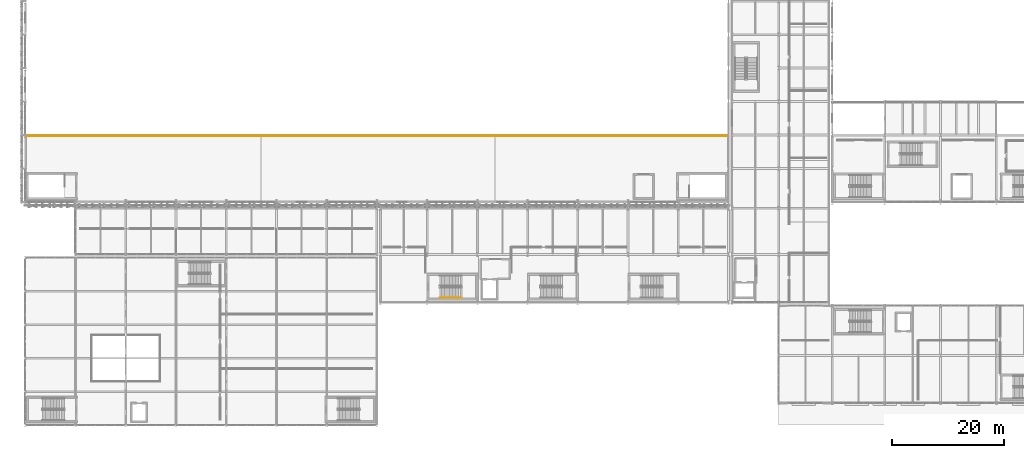
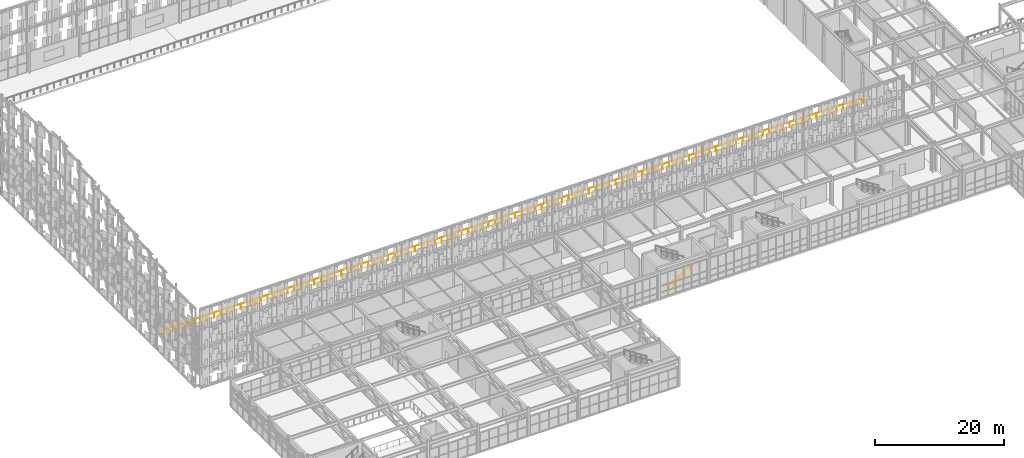
# One storey, part 184 of 210: 2 railings.
"""IFC4 building model written with IfcOpenShell, lengths in metres."""

from ifc_helpers import new_model, si_unit, direction, frame, origin, origin_2d, place, context, subcontext, project, spatial, circle, extrude, material, type_object, element, save


model = new_model("IFC4")

# Units and contexts
model_context = context("Model", 3, precision=1e-05, world=origin(), true_north=direction((0.0, 1.0)))
body_context = subcontext(model_context, "Body", "Model", "MODEL_VIEW")
ifc_project = project(units=[si_unit("LENGTHUNIT", "METRE"), si_unit("AREAUNIT", "SQUARE_METRE"), si_unit("VOLUMEUNIT", "CUBIC_METRE"), si_unit("PLANEANGLEUNIT", "RADIAN"), si_unit("MASSUNIT", "GRAM", prefix="KILO")], contexts=[model_context])

# Site, building, storey
site_placement = place(None, origin())
site = spatial("IfcSite", under=ifc_project, at=site_placement, CompositionType="ELEMENT")
building_placement = place(site_placement, origin())
building = spatial("IfcBuilding", under=site, at=building_placement, Name="Kaldris Quays Convention Centre", CompositionType="ELEMENT")
storey_placement = place(building_placement, frame((0.0, 0.0, 6.0)))
storey = spatial("IfcBuildingStorey", under=building, at=storey_placement, Name="L01", CompositionType="ELEMENT", Elevation=6.0)

# Railings
ifc_material_1 = material(Name="Steel S355J2", Category="steel")
railing_type_1 = type_object("IfcRailingType", Name="INTERIOR GUARDRAIL GR01", PredefinedType="GUARDRAIL", material=ifc_material_1)
railing_1_placement = place(storey_placement, frame((20.050048828125, 67.85009765625, 0.0)))
element("IfcRailing", 1, at=railing_1_placement, inside=storey, type_object=railing_type_1, Name="L01 Gallery Balustrade GRD-V1-GALS", PredefinedType="GUARDRAIL", context=body_context, shape_type="SweptSolid", body=[
    extrude(circle(Radius=0.02392578125, at=origin_2d()), frame((0.0, 0.0, 1.076171875), z_axis=(1.0, 0.0, 0.0), x_axis=(0.0, 1.0, 0.0)), (0.0, 0.0, 1.0), 125.89990234375),
    extrude(circle(Radius=0.02099609375, at=origin_2d()), origin(), (0.0, 0.0, 1.0), 1.052001953125),
    extrude(circle(Radius=0.02099609375, at=origin_2d()), frame((1.198974609375, 0.0, 0.0)), (0.0, 0.0, 1.0), 1.052001953125),
    extrude(circle(Radius=0.02099609375, at=origin_2d()), frame((2.398193359375, 0.0, 0.0)), (0.0, 0.0, 1.0), 1.052001953125),
    extrude(circle(Radius=0.02099609375, at=origin_2d()), frame((3.59716796875, 0.0, 0.0)), (0.0, 0.0, 1.0), 1.052001953125),
    extrude(circle(Radius=0.02099609375, at=origin_2d()), frame((4.796142578125, 0.0, 0.0)), (0.0, 0.0, 1.0), 1.052001953125),
    extrude(circle(Radius=0.02099609375, at=origin_2d()), frame((5.9951171875, 0.0, 0.0)), (0.0, 0.0, 1.0), 1.052001953125),
    extrude(circle(Radius=0.02099609375, at=origin_2d()), frame((7.1943359375, 0.0, 0.0)), (0.0, 0.0, 1.0), 1.052001953125),
    extrude(circle(Radius=0.02099609375, at=origin_2d()), frame((8.393310546875, 0.0, 0.0)), (0.0, 0.0, 1.0), 1.052001953125),
    extrude(circle(Radius=0.02099609375, at=origin_2d()), frame((9.59228515625, 0.0, 0.0)), (0.0, 0.0, 1.0), 1.052001953125),
    extrude(circle(Radius=0.02099609375, at=origin_2d()), frame((10.79150390625, 0.0, 0.0)), (0.0, 0.0, 1.0), 1.052001953125),
    extrude(circle(Radius=0.02099609375, at=origin_2d()), frame((11.990478515625, 0.0, 0.0)), (0.0, 0.0, 1.0), 1.052001953125),
    extrude(circle(Radius=0.02099609375, at=origin_2d()), frame((13.189453125, 0.0, 0.0)), (0.0, 0.0, 1.0), 1.052001953125),
    extrude(circle(Radius=0.02099609375, at=origin_2d()), frame((14.388671875, 0.0, 0.0)), (0.0, 0.0, 1.0), 1.052001953125),
    extrude(circle(Radius=0.02099609375, at=origin_2d()), frame((15.587646484375, 0.0, 0.0)), (0.0, 0.0, 1.0), 1.052001953125),
    extrude(circle(Radius=0.02099609375, at=origin_2d()), frame((16.78662109375, 0.0, 0.0)), (0.0, 0.0, 1.0), 1.052001953125),
    extrude(circle(Radius=0.02099609375, at=origin_2d()), frame((17.985595703125, 0.0, 0.0)), (0.0, 0.0, 1.0), 1.052001953125),
    extrude(circle(Radius=0.02099609375, at=origin_2d()), frame((19.184814453125, 0.0, 0.0)), (0.0, 0.0, 1.0), 1.052001953125),
    extrude(circle(Radius=0.02099609375, at=origin_2d()), frame((20.3837890625, 0.0, 0.0)), (0.0, 0.0, 1.0), 1.052001953125),
    extrude(circle(Radius=0.02099609375, at=origin_2d()), frame((21.582763671875, 0.0, 0.0)), (0.0, 0.0, 1.0), 1.052001953125),
    extrude(circle(Radius=0.02099609375, at=origin_2d()), frame((22.781982421875, 0.0, 0.0)), (0.0, 0.0, 1.0), 1.052001953125),
    extrude(circle(Radius=0.02099609375, at=origin_2d()), frame((23.98095703125, 0.0, 0.0)), (0.0, 0.0, 1.0), 1.052001953125),
    extrude(circle(Radius=0.02099609375, at=origin_2d()), frame((25.179931640625, 0.0, 0.0)), (0.0, 0.0, 1.0), 1.052001953125),
    extrude(circle(Radius=0.02099609375, at=origin_2d()), frame((26.37890625, 0.0, 0.0)), (0.0, 0.0, 1.0), 1.052001953125),
    extrude(circle(Radius=0.02099609375, at=origin_2d()), frame((27.578125, 0.0, 0.0)), (0.0, 0.0, 1.0), 1.052001953125),
    extrude(circle(Radius=0.02099609375, at=origin_2d()), frame((28.777099609375, 0.0, 0.0)), (0.0, 0.0, 1.0), 1.052001953125),
    extrude(circle(Radius=0.02099609375, at=origin_2d()), frame((29.97607421875, 0.0, 0.0)), (0.0, 0.0, 1.0), 1.052001953125),
    extrude(circle(Radius=0.02099609375, at=origin_2d()), frame((31.17529296875, 0.0, 0.0)), (0.0, 0.0, 1.0), 1.052001953125),
    extrude(circle(Radius=0.02099609375, at=origin_2d()), frame((32.374267578125, 0.0, 0.0)), (0.0, 0.0, 1.0), 1.052001953125),
    extrude(circle(Radius=0.02099609375, at=origin_2d()), frame((33.5732421875, 0.0, 0.0)), (0.0, 0.0, 1.0), 1.052001953125),
    extrude(circle(Radius=0.02099609375, at=origin_2d()), frame((34.7724609375, 0.0, 0.0)), (0.0, 0.0, 1.0), 1.052001953125),
    extrude(circle(Radius=0.02099609375, at=origin_2d()), frame((35.971435546875, 0.0, 0.0)), (0.0, 0.0, 1.0), 1.052001953125),
    extrude(circle(Radius=0.02099609375, at=origin_2d()), frame((37.17041015625, 0.0, 0.0)), (0.0, 0.0, 1.0), 1.052001953125),
    extrude(circle(Radius=0.02099609375, at=origin_2d()), frame((38.369384765625, 0.0, 0.0)), (0.0, 0.0, 1.0), 1.052001953125),
    extrude(circle(Radius=0.02099609375, at=origin_2d()), frame((39.568603515625, 0.0, 0.0)), (0.0, 0.0, 1.0), 1.052001953125),
    extrude(circle(Radius=0.02099609375, at=origin_2d()), frame((40.767578125, 0.0, 0.0)), (0.0, 0.0, 1.0), 1.052001953125),
    extrude(circle(Radius=0.02099609375, at=origin_2d()), frame((41.966552734375, 0.0, 0.0)), (0.0, 0.0, 1.0), 1.052001953125),
    extrude(circle(Radius=0.02099609375, at=origin_2d()), frame((43.165771484375, 0.0, 0.0)), (0.0, 0.0, 1.0), 1.052001953125),
    extrude(circle(Radius=0.02099609375, at=origin_2d()), frame((44.36474609375, 0.0, 0.0)), (0.0, 0.0, 1.0), 1.052001953125),
    extrude(circle(Radius=0.02099609375, at=origin_2d()), frame((45.563720703125, 0.0, 0.0)), (0.0, 0.0, 1.0), 1.052001953125),
    extrude(circle(Radius=0.02099609375, at=origin_2d()), frame((46.762939453125, 0.0, 0.0)), (0.0, 0.0, 1.0), 1.052001953125),
    extrude(circle(Radius=0.02099609375, at=origin_2d()), frame((47.9619140625, 0.0, 0.0)), (0.0, 0.0, 1.0), 1.052001953125),
    extrude(circle(Radius=0.02099609375, at=origin_2d()), frame((49.160888671875, 0.0, 0.0)), (0.0, 0.0, 1.0), 1.052001953125),
    extrude(circle(Radius=0.02099609375, at=origin_2d()), frame((50.35986328125, 0.0, 0.0)), (0.0, 0.0, 1.0), 1.052001953125),
    extrude(circle(Radius=0.02099609375, at=origin_2d()), frame((51.55908203125, 0.0, 0.0)), (0.0, 0.0, 1.0), 1.052001953125),
    extrude(circle(Radius=0.02099609375, at=origin_2d()), frame((52.758056640625, 0.0, 0.0)), (0.0, 0.0, 1.0), 1.052001953125),
    extrude(circle(Radius=0.02099609375, at=origin_2d()), frame((53.95703125, 0.0, 0.0)), (0.0, 0.0, 1.0), 1.052001953125),
    extrude(circle(Radius=0.02099609375, at=origin_2d()), frame((55.15625, 0.0, 0.0)), (0.0, 0.0, 1.0), 1.052001953125),
    extrude(circle(Radius=0.02099609375, at=origin_2d()), frame((56.355224609375, 0.0, 0.0)), (0.0, 0.0, 1.0), 1.052001953125),
    extrude(circle(Radius=0.02099609375, at=origin_2d()), frame((57.55419921875, 0.0, 0.0)), (0.0, 0.0, 1.0), 1.052001953125),
    extrude(circle(Radius=0.02099609375, at=origin_2d()), frame((58.753173828125, 0.0, 0.0)), (0.0, 0.0, 1.0), 1.052001953125),
    extrude(circle(Radius=0.02099609375, at=origin_2d()), frame((59.952392578125, 0.0, 0.0)), (0.0, 0.0, 1.0), 1.052001953125),
    extrude(circle(Radius=0.02099609375, at=origin_2d()), frame((61.1513671875, 0.0, 0.0)), (0.0, 0.0, 1.0), 1.052001953125),
    extrude(circle(Radius=0.02099609375, at=origin_2d()), frame((62.350341796875, 0.0, 0.0)), (0.0, 0.0, 1.0), 1.052001953125),
    extrude(circle(Radius=0.02099609375, at=origin_2d()), frame((63.549560546875, 0.0, 0.0)), (0.0, 0.0, 1.0), 1.052001953125),
    extrude(circle(Radius=0.02099609375, at=origin_2d()), frame((64.74853515625, 0.0, 0.0)), (0.0, 0.0, 1.0), 1.052001953125),
    extrude(circle(Radius=0.02099609375, at=origin_2d()), frame((65.947509765625, 0.0, 0.0)), (0.0, 0.0, 1.0), 1.052001953125),
    extrude(circle(Radius=0.02099609375, at=origin_2d()), frame((67.146728515625, 0.0, 0.0)), (0.0, 0.0, 1.0), 1.052001953125),
    extrude(circle(Radius=0.02099609375, at=origin_2d()), frame((68.345703125, 0.0, 0.0)), (0.0, 0.0, 1.0), 1.052001953125),
    extrude(circle(Radius=0.02099609375, at=origin_2d()), frame((69.544677734375, 0.0, 0.0)), (0.0, 0.0, 1.0), 1.052001953125),
    extrude(circle(Radius=0.02099609375, at=origin_2d()), frame((70.74365234375, 0.0, 0.0)), (0.0, 0.0, 1.0), 1.052001953125),
    extrude(circle(Radius=0.02099609375, at=origin_2d()), frame((71.94287109375, 0.0, 0.0)), (0.0, 0.0, 1.0), 1.052001953125),
    extrude(circle(Radius=0.02099609375, at=origin_2d()), frame((73.141845703125, 0.0, 0.0)), (0.0, 0.0, 1.0), 1.052001953125),
    extrude(circle(Radius=0.02099609375, at=origin_2d()), frame((74.3408203125, 0.0, 0.0)), (0.0, 0.0, 1.0), 1.052001953125),
    extrude(circle(Radius=0.02099609375, at=origin_2d()), frame((75.5400390625, 0.0, 0.0)), (0.0, 0.0, 1.0), 1.052001953125),
    extrude(circle(Radius=0.02099609375, at=origin_2d()), frame((76.739013671875, 0.0, 0.0)), (0.0, 0.0, 1.0), 1.052001953125),
    extrude(circle(Radius=0.02099609375, at=origin_2d()), frame((77.93798828125, 0.0, 0.0)), (0.0, 0.0, 1.0), 1.052001953125),
    extrude(circle(Radius=0.02099609375, at=origin_2d()), frame((79.136962890625, 0.0, 0.0)), (0.0, 0.0, 1.0), 1.052001953125),
    extrude(circle(Radius=0.02099609375, at=origin_2d()), frame((80.336181640625, 0.0, 0.0)), (0.0, 0.0, 1.0), 1.052001953125),
    extrude(circle(Radius=0.02099609375, at=origin_2d()), frame((81.53515625, 0.0, 0.0)), (0.0, 0.0, 1.0), 1.052001953125),
    extrude(circle(Radius=0.02099609375, at=origin_2d()), frame((82.734130859375, 0.0, 0.0)), (0.0, 0.0, 1.0), 1.052001953125),
    extrude(circle(Radius=0.02099609375, at=origin_2d()), frame((83.933349609375, 0.0, 0.0)), (0.0, 0.0, 1.0), 1.052001953125),
    extrude(circle(Radius=0.02099609375, at=origin_2d()), frame((85.13232421875, 0.0, 0.0)), (0.0, 0.0, 1.0), 1.052001953125),
    extrude(circle(Radius=0.02099609375, at=origin_2d()), frame((86.331298828125, 0.0, 0.0)), (0.0, 0.0, 1.0), 1.052001953125),
    extrude(circle(Radius=0.02099609375, at=origin_2d()), frame((87.530517578125, 0.0, 0.0)), (0.0, 0.0, 1.0), 1.052001953125),
    extrude(circle(Radius=0.02099609375, at=origin_2d()), frame((88.7294921875, 0.0, 0.0)), (0.0, 0.0, 1.0), 1.052001953125),
    extrude(circle(Radius=0.02099609375, at=origin_2d()), frame((89.928466796875, 0.0, 0.0)), (0.0, 0.0, 1.0), 1.052001953125),
    extrude(circle(Radius=0.02099609375, at=origin_2d()), frame((91.12744140625, 0.0, 0.0)), (0.0, 0.0, 1.0), 1.052001953125),
    extrude(circle(Radius=0.02099609375, at=origin_2d()), frame((92.32666015625, 0.0, 0.0)), (0.0, 0.0, 1.0), 1.052001953125),
    extrude(circle(Radius=0.02099609375, at=origin_2d()), frame((93.525634765625, 0.0, 0.0)), (0.0, 0.0, 1.0), 1.052001953125),
    extrude(circle(Radius=0.02099609375, at=origin_2d()), frame((94.724609375, 0.0, 0.0)), (0.0, 0.0, 1.0), 1.052001953125),
    extrude(circle(Radius=0.02099609375, at=origin_2d()), frame((95.923828125, 0.0, 0.0)), (0.0, 0.0, 1.0), 1.052001953125),
    extrude(circle(Radius=0.02099609375, at=origin_2d()), frame((97.122802734375, 0.0, 0.0)), (0.0, 0.0, 1.0), 1.052001953125),
    extrude(circle(Radius=0.02099609375, at=origin_2d()), frame((98.32177734375, 0.0, 0.0)), (0.0, 0.0, 1.0), 1.052001953125),
    extrude(circle(Radius=0.02099609375, at=origin_2d()), frame((99.52099609375, 0.0, 0.0)), (0.0, 0.0, 1.0), 1.052001953125),
    extrude(circle(Radius=0.02099609375, at=origin_2d()), frame((100.719970703125, 0.0, 0.0)), (0.0, 0.0, 1.0), 1.052001953125),
    extrude(circle(Radius=0.02099609375, at=origin_2d()), frame((101.9189453125, 0.0, 0.0)), (0.0, 0.0, 1.0), 1.052001953125),
    extrude(circle(Radius=0.02099609375, at=origin_2d()), frame((103.117919921875, 0.0, 0.0)), (0.0, 0.0, 1.0), 1.052001953125),
    extrude(circle(Radius=0.02099609375, at=origin_2d()), frame((104.317138671875, 0.0, 0.0)), (0.0, 0.0, 1.0), 1.052001953125),
    extrude(circle(Radius=0.02099609375, at=origin_2d()), frame((105.51611328125, 0.0, 0.0)), (0.0, 0.0, 1.0), 1.052001953125),
    extrude(circle(Radius=0.02099609375, at=origin_2d()), frame((106.715087890625, 0.0, 0.0)), (0.0, 0.0, 1.0), 1.052001953125),
    extrude(circle(Radius=0.02099609375, at=origin_2d()), frame((107.914306640625, 0.0, 0.0)), (0.0, 0.0, 1.0), 1.052001953125),
    extrude(circle(Radius=0.02099609375, at=origin_2d()), frame((109.11328125, 0.0, 0.0)), (0.0, 0.0, 1.0), 1.052001953125),
    extrude(circle(Radius=0.02099609375, at=origin_2d()), frame((110.312255859375, 0.0, 0.0)), (0.0, 0.0, 1.0), 1.052001953125),
    extrude(circle(Radius=0.02099609375, at=origin_2d()), frame((111.51123046875, 0.0, 0.0)), (0.0, 0.0, 1.0), 1.052001953125),
    extrude(circle(Radius=0.02099609375, at=origin_2d()), frame((112.71044921875, 0.0, 0.0)), (0.0, 0.0, 1.0), 1.052001953125),
    extrude(circle(Radius=0.02099609375, at=origin_2d()), frame((113.909423828125, 0.0, 0.0)), (0.0, 0.0, 1.0), 1.052001953125),
    extrude(circle(Radius=0.02099609375, at=origin_2d()), frame((115.1083984375, 0.0, 0.0)), (0.0, 0.0, 1.0), 1.052001953125),
    extrude(circle(Radius=0.02099609375, at=origin_2d()), frame((116.3076171875, 0.0, 0.0)), (0.0, 0.0, 1.0), 1.052001953125),
    extrude(circle(Radius=0.02099609375, at=origin_2d()), frame((117.506591796875, 0.0, 0.0)), (0.0, 0.0, 1.0), 1.052001953125),
    extrude(circle(Radius=0.02099609375, at=origin_2d()), frame((118.70556640625, 0.0, 0.0)), (0.0, 0.0, 1.0), 1.052001953125),
    extrude(circle(Radius=0.02099609375, at=origin_2d()), frame((119.90478515625, 0.0, 0.0)), (0.0, 0.0, 1.0), 1.052001953125),
    extrude(circle(Radius=0.02099609375, at=origin_2d()), frame((121.103759765625, 0.0, 0.0)), (0.0, 0.0, 1.0), 1.052001953125),
    extrude(circle(Radius=0.02099609375, at=origin_2d()), frame((122.302734375, 0.0, 0.0)), (0.0, 0.0, 1.0), 1.052001953125),
    extrude(circle(Radius=0.02099609375, at=origin_2d()), frame((123.501708984375, 0.0, 0.0)), (0.0, 0.0, 1.0), 1.052001953125),
    extrude(circle(Radius=0.02099609375, at=origin_2d()), frame((124.700927734375, 0.0, 0.0)), (0.0, 0.0, 1.0), 1.052001953125),
    extrude(circle(Radius=0.02099609375, at=origin_2d()), frame((125.89990234375, 0.0, 0.0)), (0.0, 0.0, 1.0), 1.052001953125),
])
ifc_material_2 = material(Name="Stainless steel 1.4301", Category="steel")
railing_type_2 = type_object("IfcRailingType", Name="STAIR HANDRAIL HR01", PredefinedType="HANDRAIL", material=ifc_material_2)
railing_2_placement = place(storey_placement, frame((94.300048828125, 38.85009765625, 0.179931640625)))
element("IfcRailing", 2, at=railing_2_placement, inside=storey, type_object=railing_type_2, Name="L01 ST11 Flight Handrail 1", PredefinedType="HANDRAIL", context=body_context, shape_type="SweptSolid", body=[
    extrude(circle(Radius=0.02392578125, at=origin_2d()), frame((0.0, 0.0, 0.8759765625), z_axis=(0.841171666519, 0.0, 0.540768182723), x_axis=(0.0, 1.0, 0.0)), (0.0, 0.0, 1.0), 4.66015625),
    extrude(circle(Radius=0.02099609375, at=origin_2d()), origin(), (0.0, 0.0, 1.0), 0.851806640625),
    extrude(circle(Radius=0.02099609375, at=origin_2d()), frame((0.97998046875, 0.0, 0.6298828125)), (0.0, 0.0, 1.0), 0.851806640625),
    extrude(circle(Radius=0.02099609375, at=origin_2d()), frame((1.9599609375, 0.0, 1.260009765625)), (0.0, 0.0, 1.0), 0.851806640625),
    extrude(circle(Radius=0.02099609375, at=origin_2d()), frame((2.93994140625, 0.0, 1.89013671875)), (0.0, 0.0, 1.0), 0.851806640625),
    extrude(circle(Radius=0.02099609375, at=origin_2d()), frame((3.919921875, 0.0, 2.52001953125)), (0.0, 0.0, 1.0), 0.851806640625),
])

save(model, "model.ifc")
